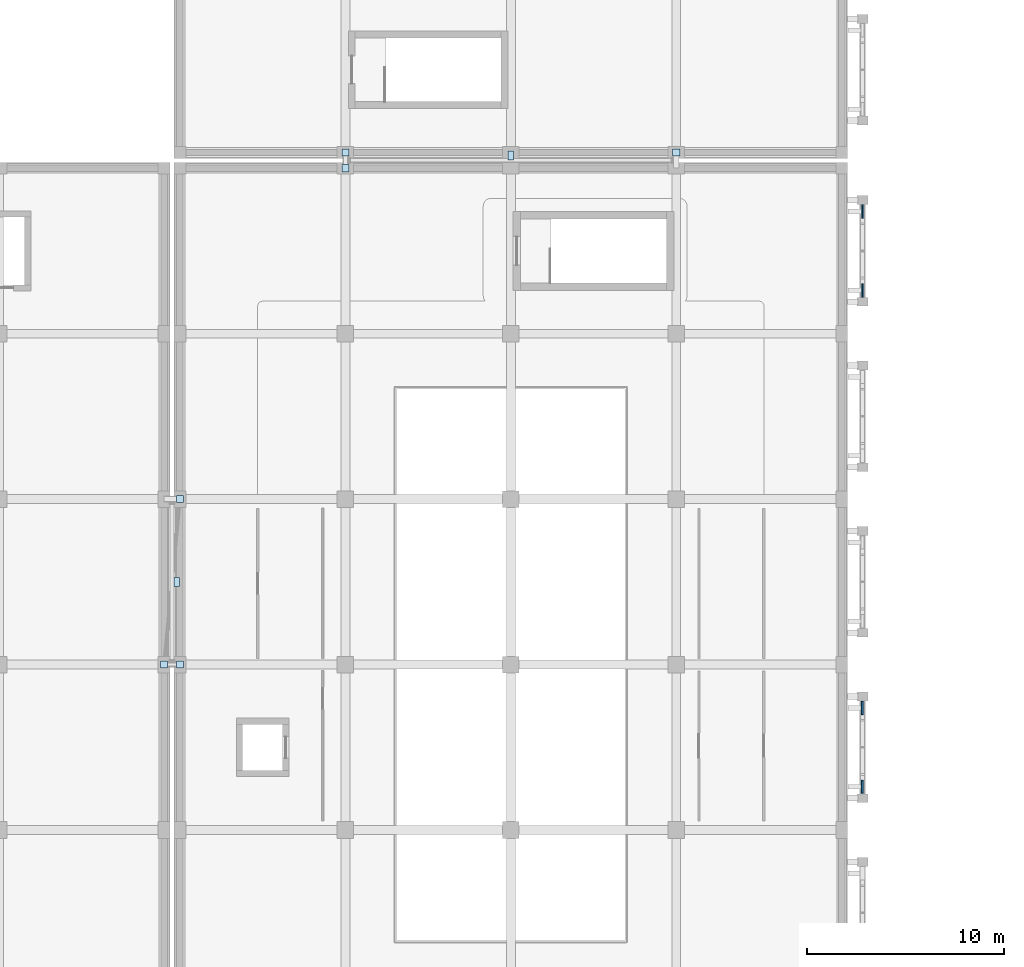
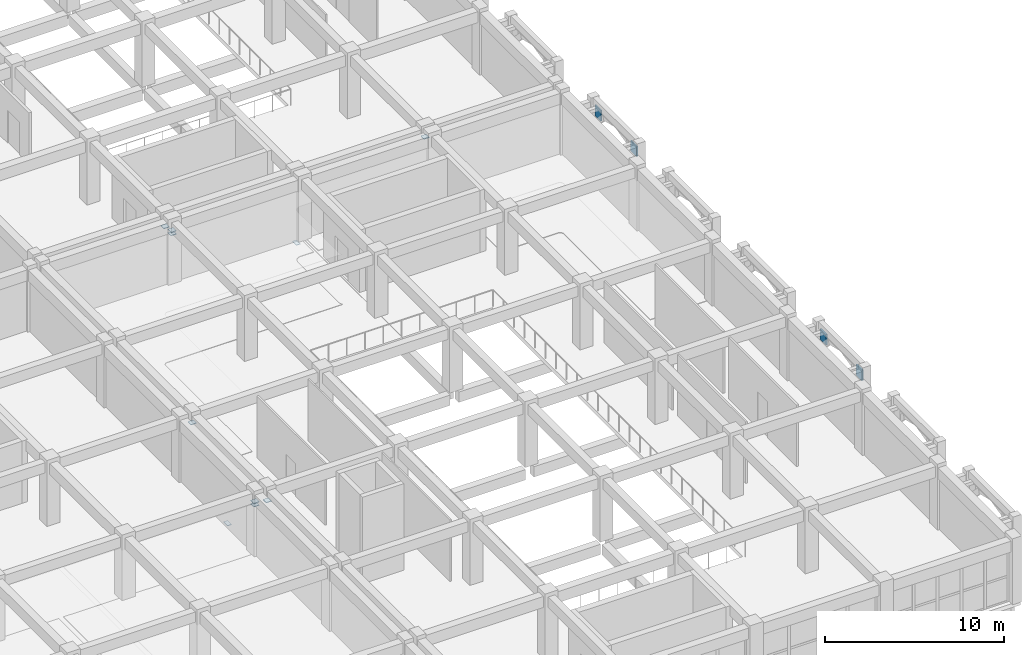
# One storey, part 104 of 129: 14 plates.
"""IFC4 building model written with IfcOpenShell, lengths in metres."""

import ifcopenshell
import ifcopenshell.guid

model = None  # the IFC model being written
_history = None  # IfcOwnerHistory: only IFC2X3 demands one
_inside = {}  # id of a spatial element -> (the spatial element, [elements in it])
_under = {}  # id of a project, library or spatial element -> (it, [spatial elements below it])
_declared = {}  # id of a project -> (the project, [libraries it declares])
_typed = {}  # id of a type object -> (the type object, [elements of that type])
_made_of = {}  # id of a material, layer set ... -> (it, [elements and type objects made of it])


def new_model(schema):
    """Start an empty IFC model of exactly this schema.

    Asked for "IFC4X3", IfcOpenShell would pick the latest addendum, in which some entities
    have other attributes; the version numbers below select the first issue.
    IFC2X3 requires an IfcOwnerHistory on every rooted entity: one is made here for all.
    """
    global model, _history
    if schema == "IFC4X3":
        model = ifcopenshell.file(schema_version=(4, 3, 0, 0))
    else:
        model = ifcopenshell.file(schema=schema)
    _inside.clear()
    _under.clear()
    _declared.clear()
    _typed.clear()
    _made_of.clear()
    _history = None
    if model.schema == "IFC2X3":
        org = make("IfcOrganization", Name="unknown")
        user = make(
            "IfcPersonAndOrganization",
            ThePerson=make("IfcPerson", FamilyName="unknown"),
            TheOrganization=org,
        )
        app = make(
            "IfcApplication",
            ApplicationDeveloper=org,
            Version="unknown",
            ApplicationFullName="unknown",
            ApplicationIdentifier="unknown",
        )
        _history = make(
            "IfcOwnerHistory",
            OwningUser=user,
            OwningApplication=app,
            ChangeAction="ADDED",
            CreationDate=0,
        )
    return model


def make(cls, **values):
    """One entity of the class cls with the attributes given. An attribute that is None is left unset."""
    return model.create_entity(
        cls, **{name: value for name, value in values.items() if value is not None}
    )


def rooted(cls, **values):
    """An entity with a GlobalId (a new one), such as an element, a storey or a relation."""
    return make(cls, GlobalId=ifcopenshell.guid.new(), OwnerHistory=_history, **values)


def si_unit(unit_type, name, prefix=None):
    """IfcSIUnit, for example si_unit("LENGTHUNIT", "METRE", prefix="MILLI")."""
    return make("IfcSIUnit", UnitType=unit_type, Prefix=prefix, Name=name)


def assignment(units):
    """IfcUnitAssignment: the units of a project."""
    return None if units is None else make("IfcUnitAssignment", Units=units)


def point(xyz):
    """IfcCartesianPoint."""
    return None if xyz is None else make("IfcCartesianPoint", Coordinates=xyz)


def direction(xyz):
    """IfcDirection."""
    return None if xyz is None else make("IfcDirection", DirectionRatios=xyz)


def frame(location, z_axis=None, x_axis=None):
    """IfcAxis2Placement3D, a coordinate frame: its origin and axes. An axis left out is left unset."""
    return make(
        "IfcAxis2Placement3D",
        Location=point(location),
        Axis=direction(z_axis),
        RefDirection=direction(x_axis),
    )


def frame_2d(location, x_axis=None):
    """IfcAxis2Placement2D, a coordinate frame in the plane: its origin and x axis."""
    return make(
        "IfcAxis2Placement2D", Location=point(location), RefDirection=direction(x_axis)
    )


def origin():
    """The frame at (0, 0, 0) with its axes left unset."""
    return frame((0.0, 0.0, 0.0))


def origin_2d():
    """The frame at (0, 0) in the plane with its x axis left unset."""
    return frame_2d((0.0, 0.0))


def place(relative_to, where):
    """IfcLocalPlacement: puts the frame where relative to a parent placement (None: the world)."""
    return make(
        "IfcLocalPlacement", PlacementRelTo=relative_to, RelativePlacement=where
    )


def context(
    kind, dimensions, precision=None, world=None, true_north=None, identifier=None
):
    """IfcGeometricRepresentationContext, for example the 3D "Model" context."""
    return make(
        "IfcGeometricRepresentationContext",
        ContextIdentifier=identifier,
        ContextType=kind,
        CoordinateSpaceDimension=dimensions,
        Precision=precision,
        WorldCoordinateSystem=world,
        TrueNorth=true_north,
    )


def subcontext(parent, identifier, kind, view, scale=None):
    """IfcGeometricRepresentationSubContext, for example "Body" below "Model"."""
    return make(
        "IfcGeometricRepresentationSubContext",
        ContextIdentifier=identifier,
        ContextType=kind,
        ParentContext=parent,
        TargetScale=scale,
        TargetView=view,
    )


def project(units=None, contexts=None):
    """IfcProject with its units and contexts."""
    return rooted(
        "IfcProject",
        Name="project",
        RepresentationContexts=contexts,
        UnitsInContext=assignment(units),
    )


def spatial(cls, under=None, at=None, **own):
    """A site, building, storey or space (cls), placed at a placement, below another one or the project."""
    s = rooted(cls, ObjectPlacement=at, **own)
    if under is not None:
        _under.setdefault(under.id(), (under, []))[1].append(s)
    return s


def profile(cls, at=None, kind="AREA", **sizes):
    """A parametric profile (cls). Its sizes go by their IFC names, for example OverallWidth=200.0."""
    return make(cls, ProfileType=kind, Position=at, **sizes)


def rectangle(**sizes):
    """IfcRectangleProfileDef."""
    return profile("IfcRectangleProfileDef", **sizes)


def extrude(swept, where, along, depth):
    """IfcExtrudedAreaSolid: the profile swept, set in the frame where, extruded along a direction by depth."""
    return make(
        "IfcExtrudedAreaSolid",
        SweptArea=swept,
        Position=where,
        ExtrudedDirection=direction(along),
        Depth=depth,
    )


def shape(context_of_items, identifier, shape_type, items):
    """IfcShapeRepresentation: the items that make up one representation, for example the "Body"."""
    return make(
        "IfcShapeRepresentation",
        ContextOfItems=context_of_items,
        RepresentationIdentifier=identifier,
        RepresentationType=shape_type,
        Items=items,
    )


def material(Name=None, Category=None):
    """IfcMaterial."""
    return make("IfcMaterial", Name=Name, Category=Category)


def layer(
    of_material, thickness, ventilated=None, Name=None, Category=None, Priority=None
):
    """IfcMaterialLayer: one layer of a wall or slab, of a material (None: an air gap)."""
    return make(
        "IfcMaterialLayer",
        Material=of_material,
        LayerThickness=thickness,
        IsVentilated=ventilated,
        Name=Name,
        Category=Category,
        Priority=Priority,
    )


def layer_set(layers, Name=None):
    """IfcMaterialLayerSet."""
    return make("IfcMaterialLayerSet", MaterialLayers=layers, LayerSetName=Name)


def made_of(thing, what):
    """Note that an element or type object is made of a material, layer set ...; save() writes the relation."""
    if what is not None:
        _made_of.setdefault(what.id(), (what, []))[1].append(thing)
    return thing


def type_object(cls, material=None, **own):
    """A type object (cls), such as IfcWallType, which elements share."""
    return made_of(rooted(cls, **own), material)


def element(
    cls,
    number,
    at=None,
    inside=None,
    cuts=None,
    type_object=None,
    material=None,
    context=None,
    identifier="Body",
    shape_type=None,
    held_by="IfcProductDefinitionShape",
    body=None,
    shapes=None,
    **own,
):
    """One element of the class cls, such as IfcWall. Its Tag is "e" and its number.

    at: its placement. inside: the storey or other place that contains it. cuts: it is an
    opening in that element (IfcRelVoidsElement). A single representation is given by context,
    identifier, shape_type and body (its items); several are given by shapes. held_by: the class
    of the entity that holds the representations. save() writes the other relations.
    """
    e = rooted(cls, Tag="e%d" % number, ObjectPlacement=at, **own)
    if body is not None:
        shapes = [shape(context, identifier, shape_type, body)]
    if shapes is not None:
        e.Representation = make(held_by, Representations=shapes)
    if inside is not None:
        _inside.setdefault(inside.id(), (inside, []))[1].append(e)
    if cuts is not None:
        rooted(
            "IfcRelVoidsElement", RelatingBuildingElement=cuts, RelatedOpeningElement=e
        )
    if type_object is not None:
        _typed.setdefault(type_object.id(), (type_object, []))[1].append(e)
    return made_of(e, material)


def aggregate(whole, parts):
    """IfcRelAggregates: a whole, such as a stair, and the parts it consists of."""
    return rooted("IfcRelAggregates", RelatingObject=whole, RelatedObjects=parts)


def save(model, path):
    """Write the relations noted so far, then the file.

    IfcRelAggregates (storeys below a building ...), IfcRelContainedInSpatialStructure (elements
    in a storey), IfcRelDefinesByType, IfcRelAssociatesMaterial and IfcRelDeclares: one each for
    every whole, place, type object, material and project.
    """
    for whole, parts in _under.values():
        aggregate(whole, parts)
    for where, things in _inside.values():
        rooted(
            "IfcRelContainedInSpatialStructure",
            RelatedElements=things,
            RelatingStructure=where,
        )
    for kind, things in _typed.values():
        rooted("IfcRelDefinesByType", RelatedObjects=things, RelatingType=kind)
    for what, things in _made_of.values():
        rooted("IfcRelAssociatesMaterial", RelatedObjects=things, RelatingMaterial=what)
    for by, libraries in _declared.values():
        rooted("IfcRelDeclares", RelatingContext=by, RelatedDefinitions=libraries)
    model.write(path)


model = new_model("IFC4")

# Units and contexts
model_context = context("Model", 3, precision=1e-05, world=origin(), true_north=direction((0.0, 1.0)))
body_context = subcontext(model_context, "Body", "Model", "MODEL_VIEW")
ifc_project = project(units=[si_unit("LENGTHUNIT", "METRE"), si_unit("AREAUNIT", "SQUARE_METRE"), si_unit("VOLUMEUNIT", "CUBIC_METRE"), si_unit("PLANEANGLEUNIT", "RADIAN"), si_unit("MASSUNIT", "GRAM", prefix="KILO")], contexts=[model_context])

# Site, building, storey
site_placement = place(None, origin())
site = spatial("IfcSite", under=ifc_project, at=site_placement, CompositionType="ELEMENT")
building_placement = place(site_placement, origin())
building = spatial("IfcBuilding", under=site, at=building_placement, Name="Xazarin Passage Department Store", CompositionType="ELEMENT")
storey_placement = place(building_placement, frame((0.0, 0.0, 9.89990234375)))
storey = spatial("IfcBuildingStorey", under=building, at=storey_placement, Name="L02", CompositionType="ELEMENT", Elevation=9.89990234375)

# Plates
ifc_material_1 = material(Name="Precast concrete C40/50", Category="concrete")
ifc_layer_1 = layer(ifc_material_1, 0.080078125)
ifc_layer_set_1 = layer_set([ifc_layer_1], Name="Precast concrete C40/50")
plate_type_1 = type_object("IfcPlateType", Name="ARC-PLT-SCR-01", PredefinedType="USERDEFINED", material=ifc_layer_set_1)
for number, where, z_axis, x_axis, name in (
    (1, (102.64990234375, 44.199951171875, 3.26025390625), (0.0, 0.0, 1.0), (0.0, 1.0, 0.0), "L02 V2S Arch Spandrel Tympanum 0201"),
    (2, (102.64990234375, 48.199951171875, 3.26025390625), (0.0, 0.0, 1.0), (0.0, 1.0, 0.0), "L02 V2S Arch Spandrel Tympanum 0202"),
):
    element("IfcPlate", number, at=place(storey_placement, frame(where, z_axis=z_axis, x_axis=x_axis)), inside=storey, type_object=plate_type_1, Name=name, ObjectType="SCREEN PANEL", PredefinedType="USERDEFINED", context=body_context, shape_type="SweptSolid", body=[
        extrude(rectangle(XDim=0.679931640625, YDim=0.080078125, at=origin_2d()), origin(), (0.0, 0.0, 1.0), 0.719970703125),
    ])
ifc_layer_2 = layer(ifc_material_1, 0.10009765625)
ifc_layer_set_2 = layer_set([ifc_layer_2], Name="Precast concrete C40/50")
plate_type_2 = type_object("IfcPlateType", Name="ARC-PLT-SCR-03", PredefinedType="USERDEFINED", material=ifc_layer_set_2)
for number, where, z_axis, x_axis, name in (
    (3, (102.64990234375, 19.0, 3.26025390625), (0.0, 0.0, 1.0), (0.0, 1.0, 0.0), "L02 V2S Arch Spandrel Tympanum 0183"),
    (4, (102.64990234375, 23.0, 3.26025390625), (0.0, 0.0, 1.0), (0.0, 1.0, 0.0), "L02 V2S Arch Spandrel Tympanum 0184"),
):
    element("IfcPlate", number, at=place(storey_placement, frame(where, z_axis=z_axis, x_axis=x_axis)), inside=storey, type_object=plate_type_2, Name=name, ObjectType="SCREEN PANEL", PredefinedType="USERDEFINED", context=body_context, shape_type="SweptSolid", body=[
        extrude(rectangle(XDim=0.679931640625, YDim=0.10009765625, at=origin_2d()), origin(), (0.0, 0.0, 1.0), 0.719970703125),
    ])
ifc_material_2 = material(Name="Steel S355", Category="steel")
ifc_layer_3 = layer(ifc_material_2, 0.030029296875)
ifc_layer_set_3 = layer_set([ifc_layer_3], Name="Steel S355")
plate_type_3 = type_object("IfcPlateType", Name="STR-PLT-BRG30", PredefinedType="USERDEFINED", material=ifc_layer_set_3)
for number, where, z_axis, x_axis, name in (
    (5, (67.85009765625, 29.39990234375, -0.81982421875), (0.0, 0.0, 1.0), (1.0, 0.0, 0.0), "L02 BR-V2S-V3 PTFE Sliding Bearing Plate"),
    (6, (84.800048828125, 51.050048828125, -0.72998046875), (0.0, 0.0, 1.0), (1.0, 0.0, 0.0), "L02 BR-V2S-V2N PTFE Sliding Bearing Plate"),
):
    element("IfcPlate", number, at=place(storey_placement, frame(where, z_axis=z_axis, x_axis=x_axis)), inside=storey, type_object=plate_type_3, Name=name, ObjectType="BASE PLATE", PredefinedType="USERDEFINED", context=body_context, shape_type="SweptSolid", body=[
        extrude(rectangle(XDim=0.280029296875, YDim=0.449951171875, at=origin_2d()), origin(), (0.0, 0.0, 1.0), 0.030029296875),
    ])
ifc_layer_4 = layer(ifc_material_2, 0.02001953125)
ifc_layer_set_4 = layer_set([ifc_layer_4], Name="Steel S355")
plate_type_4 = type_object("IfcPlateType", Name="STR-PLT-CAP20", PredefinedType="USERDEFINED", material=ifc_layer_set_4)
for number, where, z_axis, x_axis, name in (
    (7, (67.199951171875, 25.199951171875, 3.23193359375), (0.0, 0.0, 1.0), (1.0, 0.0, 0.0), "L02 BR-V2S-V3 Bridge Member End Cap 1"),
    (8, (68.0, 25.199951171875, 3.23193359375), (0.0, 0.0, 1.0), (1.0, 0.0, 0.0), "L02 BR-V2S-V3 Bridge Member End Cap 2"),
    (9, (67.199951171875, 25.199951171875, 3.45703125), (0.0, 0.0, 1.0), (1.0, 0.0, 0.0), "L02 BR-V2S-V3 Bridge Member End Cap 3"),
    (10, (68.0, 33.60009765625, 3.45703125), (0.0, 0.0, 1.0), (1.0, 0.0, 0.0), "L02 BR-V2S-V3 Bridge Member End Cap 4"),
    (11, (76.39990234375, 50.39990234375, 3.23193359375), (0.0, 0.0, 1.0), (1.0, 0.0, 0.0), "L02 BR-V2S-V2N Bridge Member End Cap 1"),
    (12, (76.39990234375, 51.199951171875, 3.23193359375), (0.0, 0.0, 1.0), (1.0, 0.0, 0.0), "L02 BR-V2S-V2N Bridge Member End Cap 2"),
    (13, (76.39990234375, 50.39990234375, 3.45703125), (0.0, 0.0, 1.0), (1.0, 0.0, 0.0), "L02 BR-V2S-V2N Bridge Member End Cap 3"),
    (14, (93.199951171875, 51.199951171875, 3.45703125), (0.0, 0.0, 1.0), (1.0, 0.0, 0.0), "L02 BR-V2S-V2N Bridge Member End Cap 4"),
):
    element("IfcPlate", number, at=place(storey_placement, frame(where, z_axis=z_axis, x_axis=x_axis)), inside=storey, type_object=plate_type_4, Name=name, ObjectType="GUSSET PLATE", PredefinedType="USERDEFINED", context=body_context, shape_type="SweptSolid", body=[
        extrude(rectangle(XDim=0.360107421875, YDim=0.360107421875, at=origin_2d()), origin(), (0.0, 0.0, 1.0), 0.035888671875),
    ])

save(model, "model.ifc")
